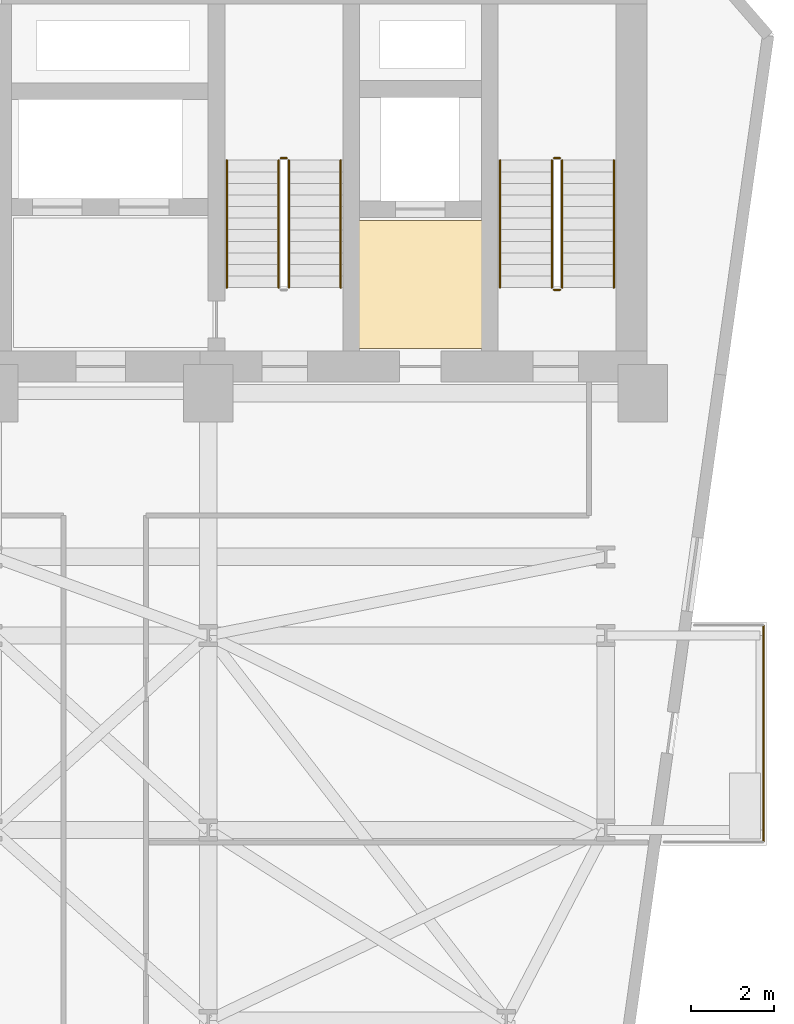
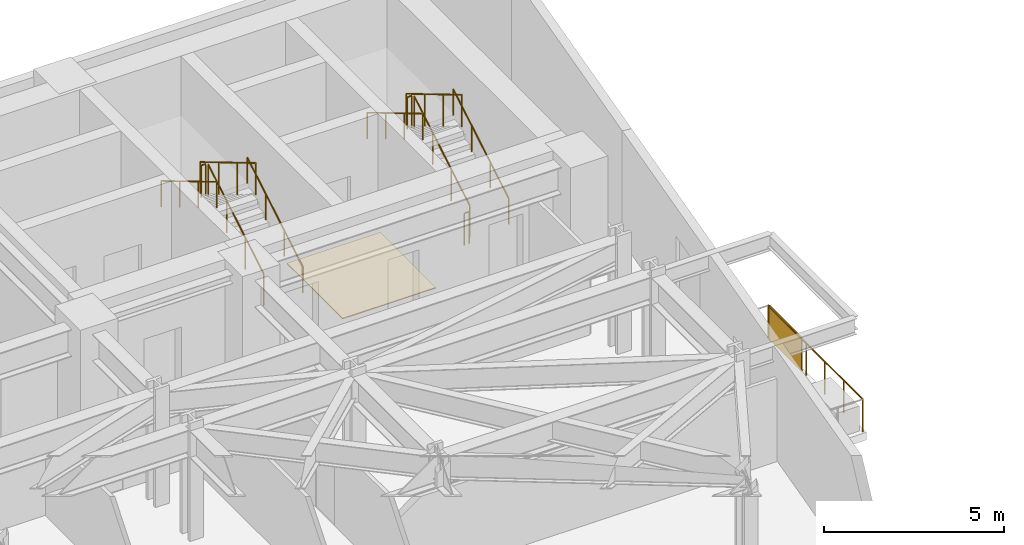
# One storey, part 25 of 25: 12 railings, 1 covering, 1 shading device.
"""IFC4 building model written with IfcOpenShell, lengths in metres."""

import ifcopenshell
import ifcopenshell.guid

model = None  # the IFC model being written
_history = None  # IfcOwnerHistory: only IFC2X3 demands one
_inside = {}  # id of a spatial element -> (the spatial element, [elements in it])
_under = {}  # id of a project, library or spatial element -> (it, [spatial elements below it])
_declared = {}  # id of a project -> (the project, [libraries it declares])
_typed = {}  # id of a type object -> (the type object, [elements of that type])
_made_of = {}  # id of a material, layer set ... -> (it, [elements and type objects made of it])


def new_model(schema):
    """Start an empty IFC model of exactly this schema.

    Asked for "IFC4X3", IfcOpenShell would pick the latest addendum, in which some entities
    have other attributes; the version numbers below select the first issue.
    IFC2X3 requires an IfcOwnerHistory on every rooted entity: one is made here for all.
    """
    global model, _history
    if schema == "IFC4X3":
        model = ifcopenshell.file(schema_version=(4, 3, 0, 0))
    else:
        model = ifcopenshell.file(schema=schema)
    _inside.clear()
    _under.clear()
    _declared.clear()
    _typed.clear()
    _made_of.clear()
    _history = None
    if model.schema == "IFC2X3":
        org = make("IfcOrganization", Name="unknown")
        user = make(
            "IfcPersonAndOrganization",
            ThePerson=make("IfcPerson", FamilyName="unknown"),
            TheOrganization=org,
        )
        app = make(
            "IfcApplication",
            ApplicationDeveloper=org,
            Version="unknown",
            ApplicationFullName="unknown",
            ApplicationIdentifier="unknown",
        )
        _history = make(
            "IfcOwnerHistory",
            OwningUser=user,
            OwningApplication=app,
            ChangeAction="ADDED",
            CreationDate=0,
        )
    return model


def make(cls, **values):
    """One entity of the class cls with the attributes given. An attribute that is None is left unset."""
    return model.create_entity(
        cls, **{name: value for name, value in values.items() if value is not None}
    )


def rooted(cls, **values):
    """An entity with a GlobalId (a new one), such as an element, a storey or a relation."""
    return make(cls, GlobalId=ifcopenshell.guid.new(), OwnerHistory=_history, **values)


def si_unit(unit_type, name, prefix=None):
    """IfcSIUnit, for example si_unit("LENGTHUNIT", "METRE", prefix="MILLI")."""
    return make("IfcSIUnit", UnitType=unit_type, Prefix=prefix, Name=name)


def assignment(units):
    """IfcUnitAssignment: the units of a project."""
    return None if units is None else make("IfcUnitAssignment", Units=units)


def point(xyz):
    """IfcCartesianPoint."""
    return None if xyz is None else make("IfcCartesianPoint", Coordinates=xyz)


def direction(xyz):
    """IfcDirection."""
    return None if xyz is None else make("IfcDirection", DirectionRatios=xyz)


def frame(location, z_axis=None, x_axis=None):
    """IfcAxis2Placement3D, a coordinate frame: its origin and axes. An axis left out is left unset."""
    return make(
        "IfcAxis2Placement3D",
        Location=point(location),
        Axis=direction(z_axis),
        RefDirection=direction(x_axis),
    )


def frame_2d(location, x_axis=None):
    """IfcAxis2Placement2D, a coordinate frame in the plane: its origin and x axis."""
    return make(
        "IfcAxis2Placement2D", Location=point(location), RefDirection=direction(x_axis)
    )


def origin():
    """The frame at (0, 0, 0) with its axes left unset."""
    return frame((0.0, 0.0, 0.0))


def origin_2d():
    """The frame at (0, 0) in the plane with its x axis left unset."""
    return frame_2d((0.0, 0.0))


def place(relative_to, where):
    """IfcLocalPlacement: puts the frame where relative to a parent placement (None: the world)."""
    return make(
        "IfcLocalPlacement", PlacementRelTo=relative_to, RelativePlacement=where
    )


def context(
    kind, dimensions, precision=None, world=None, true_north=None, identifier=None
):
    """IfcGeometricRepresentationContext, for example the 3D "Model" context."""
    return make(
        "IfcGeometricRepresentationContext",
        ContextIdentifier=identifier,
        ContextType=kind,
        CoordinateSpaceDimension=dimensions,
        Precision=precision,
        WorldCoordinateSystem=world,
        TrueNorth=true_north,
    )


def subcontext(parent, identifier, kind, view, scale=None):
    """IfcGeometricRepresentationSubContext, for example "Body" below "Model"."""
    return make(
        "IfcGeometricRepresentationSubContext",
        ContextIdentifier=identifier,
        ContextType=kind,
        ParentContext=parent,
        TargetScale=scale,
        TargetView=view,
    )


def project(units=None, contexts=None):
    """IfcProject with its units and contexts."""
    return rooted(
        "IfcProject",
        Name="project",
        RepresentationContexts=contexts,
        UnitsInContext=assignment(units),
    )


def spatial(cls, under=None, at=None, **own):
    """A site, building, storey or space (cls), placed at a placement, below another one or the project."""
    s = rooted(cls, ObjectPlacement=at, **own)
    if under is not None:
        _under.setdefault(under.id(), (under, []))[1].append(s)
    return s


def polyline(points):
    """IfcPolyline through the points."""
    return make("IfcPolyline", Points=[point(p) for p in points])


def profile(cls, at=None, kind="AREA", **sizes):
    """A parametric profile (cls). Its sizes go by their IFC names, for example OverallWidth=200.0."""
    return make(cls, ProfileType=kind, Position=at, **sizes)


def rectangle(**sizes):
    """IfcRectangleProfileDef."""
    return profile("IfcRectangleProfileDef", **sizes)


def circle(**sizes):
    """IfcCircleProfileDef."""
    return profile("IfcCircleProfileDef", **sizes)


def outline(outer, holes=None, kind="AREA"):
    """IfcArbitraryClosedProfileDef: a profile drawn as a closed curve; with holes, ...WithVoids."""
    if holes is None:
        return make("IfcArbitraryClosedProfileDef", ProfileType=kind, OuterCurve=outer)
    return make(
        "IfcArbitraryProfileDefWithVoids",
        ProfileType=kind,
        OuterCurve=outer,
        InnerCurves=holes,
    )


def extrude(swept, where, along, depth):
    """IfcExtrudedAreaSolid: the profile swept, set in the frame where, extruded along a direction by depth."""
    return make(
        "IfcExtrudedAreaSolid",
        SweptArea=swept,
        Position=where,
        ExtrudedDirection=direction(along),
        Depth=depth,
    )


def shape(context_of_items, identifier, shape_type, items):
    """IfcShapeRepresentation: the items that make up one representation, for example the "Body"."""
    return make(
        "IfcShapeRepresentation",
        ContextOfItems=context_of_items,
        RepresentationIdentifier=identifier,
        RepresentationType=shape_type,
        Items=items,
    )


def material(Name=None, Category=None):
    """IfcMaterial."""
    return make("IfcMaterial", Name=Name, Category=Category)


def layer(
    of_material, thickness, ventilated=None, Name=None, Category=None, Priority=None
):
    """IfcMaterialLayer: one layer of a wall or slab, of a material (None: an air gap)."""
    return make(
        "IfcMaterialLayer",
        Material=of_material,
        LayerThickness=thickness,
        IsVentilated=ventilated,
        Name=Name,
        Category=Category,
        Priority=Priority,
    )


def layer_set(layers, Name=None):
    """IfcMaterialLayerSet."""
    return make("IfcMaterialLayerSet", MaterialLayers=layers, LayerSetName=Name)


def made_of(thing, what):
    """Note that an element or type object is made of a material, layer set ...; save() writes the relation."""
    if what is not None:
        _made_of.setdefault(what.id(), (what, []))[1].append(thing)
    return thing


def type_object(cls, material=None, **own):
    """A type object (cls), such as IfcWallType, which elements share."""
    return made_of(rooted(cls, **own), material)


def element(
    cls,
    number,
    at=None,
    inside=None,
    cuts=None,
    type_object=None,
    material=None,
    context=None,
    identifier="Body",
    shape_type=None,
    held_by="IfcProductDefinitionShape",
    body=None,
    shapes=None,
    **own,
):
    """One element of the class cls, such as IfcWall. Its Tag is "e" and its number.

    at: its placement. inside: the storey or other place that contains it. cuts: it is an
    opening in that element (IfcRelVoidsElement). A single representation is given by context,
    identifier, shape_type and body (its items); several are given by shapes. held_by: the class
    of the entity that holds the representations. save() writes the other relations.
    """
    e = rooted(cls, Tag="e%d" % number, ObjectPlacement=at, **own)
    if body is not None:
        shapes = [shape(context, identifier, shape_type, body)]
    if shapes is not None:
        e.Representation = make(held_by, Representations=shapes)
    if inside is not None:
        _inside.setdefault(inside.id(), (inside, []))[1].append(e)
    if cuts is not None:
        rooted(
            "IfcRelVoidsElement", RelatingBuildingElement=cuts, RelatedOpeningElement=e
        )
    if type_object is not None:
        _typed.setdefault(type_object.id(), (type_object, []))[1].append(e)
    return made_of(e, material)


def aggregate(whole, parts):
    """IfcRelAggregates: a whole, such as a stair, and the parts it consists of."""
    return rooted("IfcRelAggregates", RelatingObject=whole, RelatedObjects=parts)


def save(model, path):
    """Write the relations noted so far, then the file.

    IfcRelAggregates (storeys below a building ...), IfcRelContainedInSpatialStructure (elements
    in a storey), IfcRelDefinesByType, IfcRelAssociatesMaterial and IfcRelDeclares: one each for
    every whole, place, type object, material and project.
    """
    for whole, parts in _under.values():
        aggregate(whole, parts)
    for where, things in _inside.values():
        rooted(
            "IfcRelContainedInSpatialStructure",
            RelatedElements=things,
            RelatingStructure=where,
        )
    for kind, things in _typed.values():
        rooted("IfcRelDefinesByType", RelatedObjects=things, RelatingType=kind)
    for what, things in _made_of.values():
        rooted("IfcRelAssociatesMaterial", RelatedObjects=things, RelatingMaterial=what)
    for by, libraries in _declared.values():
        rooted("IfcRelDeclares", RelatingContext=by, RelatedDefinitions=libraries)
    model.write(path)


model = new_model("IFC4")

# Units and contexts
model_context = context("Model", 3, precision=1e-05, world=origin(), true_north=direction((0.0, 1.0)))
body_context = subcontext(model_context, "Body", "Model", "MODEL_VIEW")
ifc_project = project(units=[si_unit("LENGTHUNIT", "METRE"), si_unit("AREAUNIT", "SQUARE_METRE"), si_unit("VOLUMEUNIT", "CUBIC_METRE"), si_unit("PLANEANGLEUNIT", "RADIAN"), si_unit("MASSUNIT", "GRAM", prefix="KILO")], contexts=[model_context])

# Site, building, storey
site_placement = place(None, origin())
site = spatial("IfcSite", under=ifc_project, at=site_placement, CompositionType="ELEMENT")
building_placement = place(site_placement, origin())
building = spatial("IfcBuilding", under=site, at=building_placement, Name="Kravanh Interchange Tower", CompositionType="ELEMENT")
storey_placement = place(building_placement, frame((0.0, 0.0, 57.5)))
storey = spatial("IfcBuildingStorey", under=building, at=storey_placement, Name="L13", CompositionType="ELEMENT", Elevation=57.5)

# Covering
ifc_material_1 = material(Name="Cementitious Terrazzo Tile")
ifc_layer_1 = layer(ifc_material_1, 0.030029296875)
ifc_layer_set_1 = layer_set([ifc_layer_1], Name="Honed Terrazzo Lobby Flooring 30mm")
covering_type = type_object("IfcCoveringType", Name="Honed Terrazzo Lobby Flooring 30mm", PredefinedType="FLOORING", material=ifc_layer_set_1)
covering_placement = place(storey_placement, origin())
element("IfcCovering", 1, at=covering_placement, inside=storey, type_object=covering_type, Name="L13 Service Lift Lobby Floor Finish", PredefinedType="FLOORING", context=body_context, shape_type="SweptSolid", body=[
    extrude(outline(polyline([(59.6298828125, 41.52001953125), (62.6201171875, 41.52001953125), (62.6201171875, 38.429931640625), (59.6298828125, 38.429931640625), (59.6298828125, 41.52001953125)])), origin(), (0.0, 0.0, 1.0), 0.030029296875),
])

# Shading device
ifc_material_2 = material(Name="Perforated Anodised Bronze Aluminium", Category="aluminium")
ifc_layer_2 = layer(ifc_material_2, 0.0400390625)
ifc_layer_set_2 = layer_set([ifc_layer_2], Name="Perforated Bronze Balcony Privacy Screen 1150mm")
shading_device_type = type_object("IfcShadingDeviceType", Name="Perforated Bronze Balcony Privacy Screen 1150mm", PredefinedType="USERDEFINED", material=ifc_layer_set_2)
shading_device_placement = place(storey_placement, frame((69.409912109375, 30.780029296875, 0.0), z_axis=(0.0, 0.0, 1.0), x_axis=(1.0, 0.0, 0.0)))
element("IfcShadingDevice", 2, at=shading_device_placement, inside=storey, type_object=shading_device_type, Name="L13 E Perforated Bronze BALCONY SCREEN", ObjectType="SCREEN", PredefinedType="USERDEFINED", context=body_context, shape_type="SweptSolid", body=[
    extrude(rectangle(XDim=0.0400390625, YDim=1.800048828125, at=origin_2d()), origin(), (0.0, 0.0, 1.0), 1.14990234375),
])

# Railings
ifc_material_3 = material(Name="Stainless Steel 316", Category="steel")
ifc_layer_3 = layer(ifc_material_3, 0.06005859375)
ifc_layer_set_3 = layer_set([ifc_layer_3], Name="Perimeter Balcony and Terrace Guardrail Stainless 316 1120mm")
railing_type_1 = type_object("IfcRailingType", Name="Perimeter Balcony and Terrace Guardrail Stainless 316 1120mm", PredefinedType="GUARDRAIL", material=ifc_layer_set_3)
railing_1_placement = place(storey_placement, frame((69.409912109375, 31.75, 0.0)))
element("IfcRailing", 3, at=railing_1_placement, inside=storey, type_object=railing_type_1, Name="L13 E Balcony Guardrail 1", PredefinedType="GUARDRAIL", context=body_context, shape_type="SweptSolid", body=[
    extrude(circle(Radius=0.02392578125, at=origin_2d()), frame((0.0, 0.0, 1.09619140625), z_axis=(0.0, -1.0, 0.0), x_axis=(1.0, 0.0, 0.0)), (0.0, 0.0, 1.0), 5.239990234375),
    extrude(circle(Radius=0.02099609375, at=origin_2d()), origin(), (0.0, 0.0, 1.0), 1.072021484375),
    extrude(circle(Radius=0.02099609375, at=origin_2d()), frame((0.0, -1.048095703125, 0.0)), (0.0, 0.0, 1.0), 1.072021484375),
    extrude(circle(Radius=0.02099609375, at=origin_2d()), frame((0.0, -2.095947265625, 0.0)), (0.0, 0.0, 1.0), 1.072021484375),
    extrude(circle(Radius=0.02099609375, at=origin_2d()), frame((0.0, -3.14404296875, 0.0)), (0.0, 0.0, 1.0), 1.072021484375),
    extrude(circle(Radius=0.02099609375, at=origin_2d()), frame((0.0, -4.19189453125, 0.0)), (0.0, 0.0, 1.0), 1.072021484375),
    extrude(circle(Radius=0.02099609375, at=origin_2d()), frame((0.0, -5.239990234375, 0.0)), (0.0, 0.0, 1.0), 1.072021484375),
])
ifc_material_4 = material(Name="Structural Steel S355", Category="steel")
ifc_layer_4 = layer(ifc_material_4, 0.050048828125)
ifc_layer_set_4 = layer_set([ifc_layer_4], Name="Stair Well Guardrail Structural Steel S355 1100mm")
railing_type_2 = type_object("IfcRailingType", Name="Stair Well Guardrail Structural Steel S355 1100mm", PredefinedType="GUARDRAIL", material=ifc_layer_set_4)
railing_2_placement = place(storey_placement, frame((64.550048828125, 39.89990234375, 0.166748046875)))
element("IfcRailing", 4, at=railing_2_placement, inside=storey, type_object=railing_type_2, Name="L13 ST1 stair guard 1", PredefinedType="GUARDRAIL", context=body_context, shape_type="SweptSolid", body=[
    extrude(circle(Radius=0.02392578125, at=origin_2d()), frame((0.0, 0.0, 1.076171875), z_axis=(0.0, 0.859308565015, 0.511457515432), x_axis=(-1.0, 0.0, 0.0)), (0.0, 0.0, 1.0), 3.58447265625),
    extrude(circle(Radius=0.02099609375, at=origin_2d()), origin(), (0.0, 0.0, 1.0), 1.052001953125),
    extrude(circle(Radius=0.02099609375, at=origin_2d()), frame((0.0, 1.026611328125, 0.611083984375)), (0.0, 0.0, 1.0), 1.052001953125),
    extrude(circle(Radius=0.02099609375, at=origin_2d()), frame((0.0, 2.053466796875, 1.22216796875)), (0.0, 0.0, 1.0), 1.052001953125),
    extrude(circle(Radius=0.02099609375, at=origin_2d()), frame((0.0, 3.080078125, 1.833251953125)), (0.0, 0.0, 1.0), 1.052001953125),
])
railing_3_placement = place(storey_placement, frame((64.5, 43.030029296875, 2.0)))
element("IfcRailing", 5, at=railing_3_placement, inside=storey, type_object=railing_type_2, Name="L13 ST1 stair guard 2", PredefinedType="GUARDRAIL", context=body_context, shape_type="SweptSolid", body=[
    extrude(circle(Radius=0.02392578125, at=origin_2d()), frame((0.0, 0.0, 1.076171875), z_axis=(-1.0, 0.0, 0.0), x_axis=(0.0, -1.0, 0.0)), (0.0, 0.0, 1.0), 0.14990234375),
    extrude(circle(Radius=0.02099609375, at=origin_2d()), origin(), (0.0, 0.0, 1.0), 1.052001953125),
    extrude(circle(Radius=0.02099609375, at=origin_2d()), frame((-0.14990234375, 0.0, 0.0)), (0.0, 0.0, 1.0), 1.052001953125),
])
railing_4_placement = place(storey_placement, frame((64.300048828125, 42.97998046875, 2.166748046875)))
element("IfcRailing", 6, at=railing_4_placement, inside=storey, type_object=railing_type_2, Name="L13 ST1 stair guard 3", PredefinedType="GUARDRAIL", context=body_context, shape_type="SweptSolid", body=[
    extrude(circle(Radius=0.02392578125, at=origin_2d()), frame((0.0, 0.0, 1.076171875), z_axis=(0.0, -0.859308565015, 0.511457515432), x_axis=(1.0, 0.0, 0.0)), (0.0, 0.0, 1.0), 3.58447265625),
    extrude(circle(Radius=0.02099609375, at=origin_2d()), origin(), (0.0, 0.0, 1.0), 1.052001953125),
    extrude(circle(Radius=0.02099609375, at=origin_2d()), frame((0.0, -1.026611328125, 0.611083984375)), (0.0, 0.0, 1.0), 1.052001953125),
    extrude(circle(Radius=0.02099609375, at=origin_2d()), frame((0.0, -2.053466796875, 1.22216796875)), (0.0, 0.0, 1.0), 1.052001953125),
    extrude(circle(Radius=0.02099609375, at=origin_2d()), frame((0.0, -3.080078125, 1.833251953125)), (0.0, 0.0, 1.0), 1.052001953125),
])
railing_5_placement = place(storey_placement, frame((64.5, 39.85009765625, 0.0)))
element("IfcRailing", 7, at=railing_5_placement, inside=storey, type_object=railing_type_2, Name="L13 ST1 stair guard 4", PredefinedType="GUARDRAIL", context=body_context, shape_type="SweptSolid", body=[
    extrude(circle(Radius=0.02392578125, at=origin_2d()), frame((0.0, 0.0, 1.076171875), z_axis=(-1.0, 0.0, 0.0), x_axis=(0.0, -1.0, 0.0)), (0.0, 0.0, 1.0), 0.14990234375),
    extrude(circle(Radius=0.02099609375, at=origin_2d()), origin(), (0.0, 0.0, 1.0), 1.052001953125),
    extrude(circle(Radius=0.02099609375, at=origin_2d()), frame((-0.14990234375, 0.0, 0.0)), (0.0, 0.0, 1.0), 1.052001953125),
])
railing_6_placement = place(storey_placement, frame((57.949951171875, 39.89990234375, 0.166748046875)))
element("IfcRailing", 8, at=railing_6_placement, inside=storey, type_object=railing_type_2, Name="L13 ST2 stair guard 1", PredefinedType="GUARDRAIL", context=body_context, shape_type="SweptSolid", body=[
    extrude(circle(Radius=0.02392578125, at=origin_2d()), frame((0.0, 0.0, 1.076171875), z_axis=(0.0, 0.859308565015, 0.511457515432), x_axis=(-1.0, 0.0, 0.0)), (0.0, 0.0, 1.0), 3.58447265625),
    extrude(circle(Radius=0.02099609375, at=origin_2d()), origin(), (0.0, 0.0, 1.0), 1.052001953125),
    extrude(circle(Radius=0.02099609375, at=origin_2d()), frame((0.0, 1.026611328125, 0.611083984375)), (0.0, 0.0, 1.0), 1.052001953125),
    extrude(circle(Radius=0.02099609375, at=origin_2d()), frame((0.0, 2.053466796875, 1.22216796875)), (0.0, 0.0, 1.0), 1.052001953125),
    extrude(circle(Radius=0.02099609375, at=origin_2d()), frame((0.0, 3.080078125, 1.833251953125)), (0.0, 0.0, 1.0), 1.052001953125),
])
railing_7_placement = place(storey_placement, frame((57.89990234375, 43.030029296875, 2.0)))
element("IfcRailing", 9, at=railing_7_placement, inside=storey, type_object=railing_type_2, Name="L13 ST2 stair guard 2", PredefinedType="GUARDRAIL", context=body_context, shape_type="SweptSolid", body=[
    extrude(circle(Radius=0.02392578125, at=origin_2d()), frame((0.0, 0.0, 1.076171875), z_axis=(-1.0, 0.0, 0.0), x_axis=(0.0, -1.0, 0.0)), (0.0, 0.0, 1.0), 0.14990234375),
    extrude(circle(Radius=0.02099609375, at=origin_2d()), origin(), (0.0, 0.0, 1.0), 1.052001953125),
    extrude(circle(Radius=0.02099609375, at=origin_2d()), frame((-0.14990234375, 0.0, 0.0)), (0.0, 0.0, 1.0), 1.052001953125),
])
railing_8_placement = place(storey_placement, frame((57.699951171875, 42.97998046875, 2.166748046875)))
element("IfcRailing", 10, at=railing_8_placement, inside=storey, type_object=railing_type_2, Name="L13 ST2 stair guard 3", PredefinedType="GUARDRAIL", context=body_context, shape_type="SweptSolid", body=[
    extrude(circle(Radius=0.02392578125, at=origin_2d()), frame((0.0, 0.0, 1.076171875), z_axis=(0.0, -0.859308565015, 0.511457515432), x_axis=(1.0, 0.0, 0.0)), (0.0, 0.0, 1.0), 3.58447265625),
    extrude(circle(Radius=0.02099609375, at=origin_2d()), origin(), (0.0, 0.0, 1.0), 1.052001953125),
    extrude(circle(Radius=0.02099609375, at=origin_2d()), frame((0.0, -1.026611328125, 0.611083984375)), (0.0, 0.0, 1.0), 1.052001953125),
    extrude(circle(Radius=0.02099609375, at=origin_2d()), frame((0.0, -2.053466796875, 1.22216796875)), (0.0, 0.0, 1.0), 1.052001953125),
    extrude(circle(Radius=0.02099609375, at=origin_2d()), frame((0.0, -3.080078125, 1.833251953125)), (0.0, 0.0, 1.0), 1.052001953125),
])
ifc_material_5 = material(Name="Stainless Steel 304", Category="steel")
ifc_layer_5 = layer(ifc_material_5, 0.044921875)
ifc_layer_set_5 = layer_set([ifc_layer_5], Name="Tubular Stair Handrail Stainless 304 900mm")
railing_type_3 = type_object("IfcRailingType", Name="Tubular Stair Handrail Stainless 304 900mm", PredefinedType="HANDRAIL", material=ifc_layer_set_5)
railing_9_placement = place(storey_placement, frame((65.800048828125, 39.89990234375, 0.166748046875)))
element("IfcRailing", 11, at=railing_9_placement, inside=storey, type_object=railing_type_3, Name="L13 ST1 stair handrail 1", PredefinedType="HANDRAIL", context=body_context, shape_type="SweptSolid", body=[
    extrude(circle(Radius=0.02392578125, at=origin_2d()), frame((0.0, 0.0, 0.8759765625), z_axis=(0.0, 0.859308565015, 0.511457515432), x_axis=(-1.0, 0.0, 0.0)), (0.0, 0.0, 1.0), 3.58447265625),
    extrude(circle(Radius=0.02099609375, at=origin_2d()), origin(), (0.0, 0.0, 1.0), 0.851806640625),
    extrude(circle(Radius=0.02099609375, at=origin_2d()), frame((0.0, 1.026611328125, 0.611083984375)), (0.0, 0.0, 1.0), 0.851806640625),
    extrude(circle(Radius=0.02099609375, at=origin_2d()), frame((0.0, 2.053466796875, 1.22216796875)), (0.0, 0.0, 1.0), 0.851806640625),
    extrude(circle(Radius=0.02099609375, at=origin_2d()), frame((0.0, 3.080078125, 1.833251953125)), (0.0, 0.0, 1.0), 0.851806640625),
])
railing_10_placement = place(storey_placement, frame((63.050048828125, 42.97998046875, 2.166748046875)))
element("IfcRailing", 12, at=railing_10_placement, inside=storey, type_object=railing_type_3, Name="L13 ST1 stair handrail 2", PredefinedType="HANDRAIL", context=body_context, shape_type="SweptSolid", body=[
    extrude(circle(Radius=0.02392578125, at=origin_2d()), frame((0.0, 0.0, 0.8759765625), z_axis=(0.0, -0.859308565015, 0.511457515432), x_axis=(1.0, 0.0, 0.0)), (0.0, 0.0, 1.0), 3.58447265625),
    extrude(circle(Radius=0.02099609375, at=origin_2d()), origin(), (0.0, 0.0, 1.0), 0.851806640625),
    extrude(circle(Radius=0.02099609375, at=origin_2d()), frame((0.0, -1.026611328125, 0.611083984375)), (0.0, 0.0, 1.0), 0.851806640625),
    extrude(circle(Radius=0.02099609375, at=origin_2d()), frame((0.0, -2.053466796875, 1.22216796875)), (0.0, 0.0, 1.0), 0.851806640625),
    extrude(circle(Radius=0.02099609375, at=origin_2d()), frame((0.0, -3.080078125, 1.833251953125)), (0.0, 0.0, 1.0), 0.851806640625),
])
railing_11_placement = place(storey_placement, frame((59.199951171875, 39.89990234375, 0.166748046875)))
element("IfcRailing", 13, at=railing_11_placement, inside=storey, type_object=railing_type_3, Name="L13 ST2 stair handrail 1", PredefinedType="HANDRAIL", context=body_context, shape_type="SweptSolid", body=[
    extrude(circle(Radius=0.02392578125, at=origin_2d()), frame((0.0, 0.0, 0.8759765625), z_axis=(0.0, 0.859308565015, 0.511457515432), x_axis=(-1.0, 0.0, 0.0)), (0.0, 0.0, 1.0), 3.58447265625),
    extrude(circle(Radius=0.02099609375, at=origin_2d()), origin(), (0.0, 0.0, 1.0), 0.851806640625),
    extrude(circle(Radius=0.02099609375, at=origin_2d()), frame((0.0, 1.026611328125, 0.611083984375)), (0.0, 0.0, 1.0), 0.851806640625),
    extrude(circle(Radius=0.02099609375, at=origin_2d()), frame((0.0, 2.053466796875, 1.22216796875)), (0.0, 0.0, 1.0), 0.851806640625),
    extrude(circle(Radius=0.02099609375, at=origin_2d()), frame((0.0, 3.080078125, 1.833251953125)), (0.0, 0.0, 1.0), 0.851806640625),
])
railing_12_placement = place(storey_placement, frame((56.449951171875, 42.97998046875, 2.166748046875)))
element("IfcRailing", 14, at=railing_12_placement, inside=storey, type_object=railing_type_3, Name="L13 ST2 stair handrail 2", PredefinedType="HANDRAIL", context=body_context, shape_type="SweptSolid", body=[
    extrude(circle(Radius=0.02392578125, at=origin_2d()), frame((0.0, 0.0, 0.8759765625), z_axis=(0.0, -0.859308565015, 0.511457515432), x_axis=(1.0, 0.0, 0.0)), (0.0, 0.0, 1.0), 3.58447265625),
    extrude(circle(Radius=0.02099609375, at=origin_2d()), origin(), (0.0, 0.0, 1.0), 0.851806640625),
    extrude(circle(Radius=0.02099609375, at=origin_2d()), frame((0.0, -1.026611328125, 0.611083984375)), (0.0, 0.0, 1.0), 0.851806640625),
    extrude(circle(Radius=0.02099609375, at=origin_2d()), frame((0.0, -2.053466796875, 1.22216796875)), (0.0, 0.0, 1.0), 0.851806640625),
    extrude(circle(Radius=0.02099609375, at=origin_2d()), frame((0.0, -3.080078125, 1.833251953125)), (0.0, 0.0, 1.0), 0.851806640625),
])

save(model, "model.ifc")
